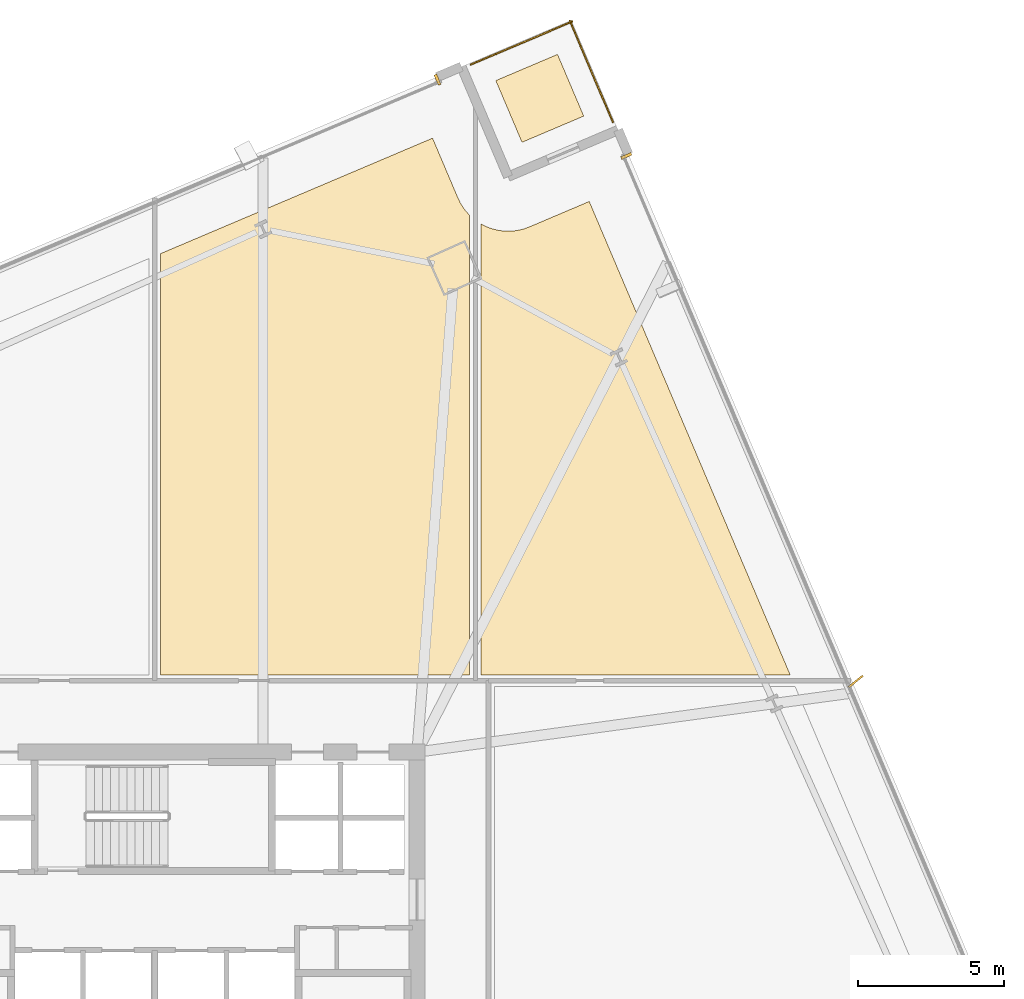
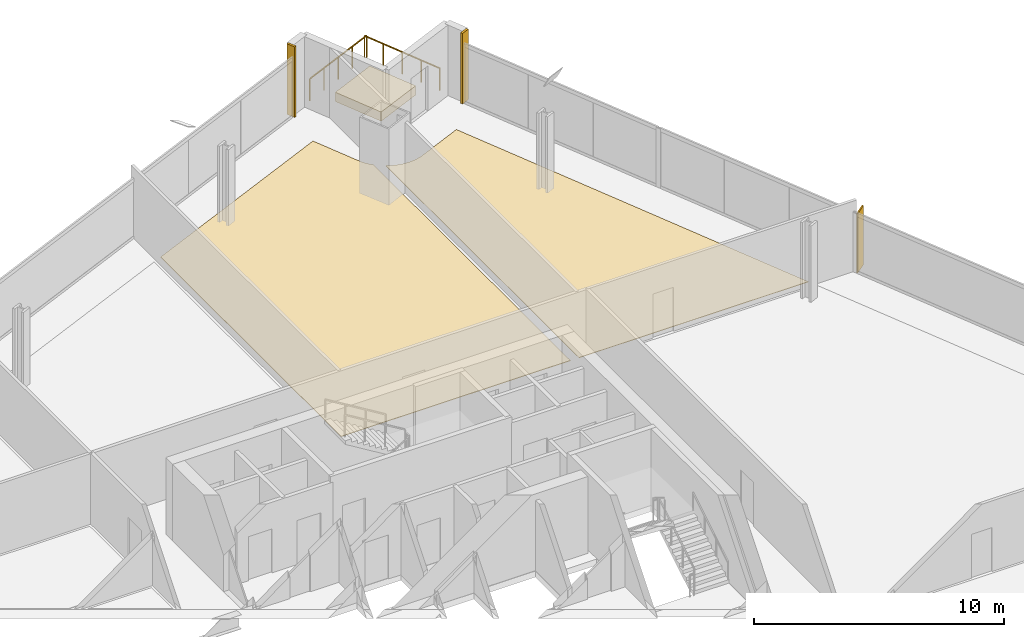
# One storey, part 34 of 34: 5 coverings, 2 railings, 1 shading device.
"""IFC4 building model written with IfcOpenShell, lengths in metres."""

from ifc_helpers import new_model, si_unit, direction, frame, origin, origin_2d, place, context, subcontext, project, spatial, polyline, rectangle, outline, extrude, source, transform, mapped, material, layer, layer_set, type_object, element, save


model = new_model("IFC4")

# Units and contexts
model_context = context("Model", 3, precision=1e-05, world=origin(), true_north=direction((0.0, 1.0)))
body_context = subcontext(model_context, "Body", "Model", "MODEL_VIEW")
ifc_project = project(units=[si_unit("LENGTHUNIT", "METRE"), si_unit("AREAUNIT", "SQUARE_METRE"), si_unit("VOLUMEUNIT", "CUBIC_METRE"), si_unit("PLANEANGLEUNIT", "RADIAN"), si_unit("MASSUNIT", "GRAM", prefix="KILO")], contexts=[model_context])

# Site, building, storey
site_placement = place(None, origin())
site = spatial("IfcSite", under=ifc_project, at=site_placement, CompositionType="ELEMENT")
building_placement = place(site_placement, origin())
building = spatial("IfcBuilding", under=site, at=building_placement, Name="Haldenkirk Collegiate Tower", CompositionType="ELEMENT")
storey_placement = place(building_placement, frame((0.0, 0.0, 105.449951171875)))
storey = spatial("IfcBuildingStorey", under=building, at=storey_placement, Name="L25", CompositionType="ELEMENT", Elevation=105.449951171875)

# Coverings
ifc_material_1 = material(Name="Polished collegiate terrazzo", Category="concrete")
ifc_layer_1 = layer(ifc_material_1, 0.02490234375)
ifc_layer_set_1 = layer_set([ifc_layer_1], Name="Polished collegiate terrazzo")
covering_type_1 = type_object("IfcCoveringType", Name="COV-FLOOR-TERRAZZO", PredefinedType="FLOORING", material=ifc_layer_set_1)
covering_1_placement = place(storey_placement, origin())
element("IfcCovering", 1, at=covering_1_placement, inside=storey, type_object=covering_type_1, Name="L25 academic room finish 06", PredefinedType="FLOORING", context=body_context, shape_type="SweptSolid", body=[
    extrude(outline(polyline([(45.53125, 55.064697265625), (46.402587890625, 53.011962890625), (46.405029296875, 53.006591796875), (46.479736328125, 52.851806640625), (46.4853515625, 52.841552734375), (46.574951171875, 52.695068359375), (46.581787109375, 52.685302734375), (46.685302734375, 52.54833984375), (46.692626953125, 52.539306640625), (46.800048828125, 52.4228515625), (46.800048828125, 36.64990234375), (36.199951171875, 36.64990234375), (36.199951171875, 51.103759765625), (45.53125, 55.064697265625)])), origin(), (0.0, 0.0, 1.0), 0.025146484375),
])
ifc_material_2 = material(Name="Engineered collegiate oak acoustic flooring", Category="wood")
ifc_layer_2 = layer(ifc_material_2, 0.02197265625)
ifc_layer_set_2 = layer_set([ifc_layer_2], Name="Engineered collegiate oak acoustic flooring")
covering_type_2 = type_object("IfcCoveringType", Name="COV-FLOOR-TIMBER", PredefinedType="FLOORING", material=ifc_layer_set_2)
covering_2_placement = place(storey_placement, origin())
element("IfcCovering", 2, at=covering_2_placement, inside=storey, type_object=covering_type_2, Name="L25 academic room finish 07", PredefinedType="FLOORING", context=body_context, shape_type="SweptSolid", body=[
    extrude(outline(polyline([(47.199951171875, 52.118896484375), (47.251708984375, 52.088623046875), (47.26220703125, 52.083251953125), (47.41796875, 52.010986328125), (47.428955078125, 52.006591796875), (47.591064453125, 51.9501953125), (47.602294921875, 51.947021484375), (47.769287109375, 51.906494140625), (47.781005859375, 51.904296875), (47.950927734375, 51.880615234375), (47.962890625, 51.879638671875), (48.134521484375, 51.872802734375), (48.14599609375, 51.872802734375), (48.3173828125, 51.8828125), (48.329345703125, 51.884033203125), (48.4990234375, 51.910888671875), (48.510498046875, 51.9130859375), (48.6767578125, 51.956298828125), (48.68798828125, 51.9599609375), (48.84912109375, 52.01904296875), (48.8544921875, 52.021240234375), (50.9072265625, 52.892578125), (57.802001953125, 36.64990234375), (47.199951171875, 36.64990234375), (47.199951171875, 52.118896484375)])), origin(), (0.0, 0.0, 1.0), 0.02197265625),
])
ifc_material_3 = material(Name="Precast concrete f'c 40 MPa", Category="concrete")
ifc_layer_3 = layer(ifc_material_3, 0.449951171875)
ifc_layer_set_3 = layer_set([ifc_layer_3], Name="Precast concrete f'c 40 MPa")
covering_type_3 = type_object("IfcCoveringType", Name="COV-PLANTER-450", PredefinedType="USERDEFINED", material=ifc_layer_set_3)
covering_3_placement = place(storey_placement, origin())
element("IfcCovering", 3, at=covering_3_placement, inside=storey, type_object=covering_type_3, Name="L25 planted garden planter bed", ObjectType="PLANTER", PredefinedType="USERDEFINED", context=body_context, shape_type="SweptSolid", body=[
    extrude(outline(polyline([(48.6005859375, 54.922607421875), (47.701904296875, 57.039794921875), (49.819091796875, 57.938720703125), (50.718017578125, 55.8212890625), (48.6005859375, 54.922607421875)])), origin(), (0.0, 0.0, 1.0), 0.449951171875),
])

# Railings
ifc_material_4 = material(Name="Anodised architectural bronze aluminium", Category="aluminium")
railing_type = type_object("IfcRailingType", Name="RLG-TERR-BALUSTRADE-1100", PredefinedType="BALUSTRADE", material=ifc_material_4)
railing_1_placement = place(storey_placement, frame((51.7177734375, 55.61572265625, 0.0)))
element("IfcRailing", 4, at=railing_1_placement, inside=storey, type_object=railing_type, Name="L25 terrace guard balustrade 2-1", PredefinedType="BALUSTRADE", context=body_context, shape_type="SweptSolid", body=[
    extrude(rectangle(XDim=0.048095703125, YDim=0.048095703125, at=origin_2d()), frame((0.0, 0.0, 1.076171875), z_axis=(-0.390752193704, 0.920495911515, 0.0), x_axis=(-0.920495911515, -0.390752193704, 0.0)), (0.0, 0.0, 1.0), 3.780029296875),
    extrude(rectangle(XDim=0.0419921875, YDim=0.0419921875, at=origin_2d()), origin(), (0.0, 0.0, 1.0), 1.052001953125),
    extrude(rectangle(XDim=0.0419921875, YDim=0.0419921875, at=origin_2d()), frame((-0.369140625, 0.869873046875, 0.0)), (0.0, 0.0, 1.0), 1.052001953125),
    extrude(rectangle(XDim=0.0419921875, YDim=0.0419921875, at=origin_2d()), frame((-0.738525390625, 1.73974609375, 0.0)), (0.0, 0.0, 1.0), 1.052001953125),
    extrude(rectangle(XDim=0.0419921875, YDim=0.0419921875, at=origin_2d()), frame((-1.10791015625, 2.609619140625, 0.0)), (0.0, 0.0, 1.0), 1.052001953125),
    extrude(rectangle(XDim=0.0419921875, YDim=0.0419921875, at=origin_2d()), frame((-1.47705078125, 3.4794921875, 0.0)), (0.0, 0.0, 1.0), 1.052001953125),
])
railing_2_placement = place(storey_placement, frame((50.3193359375, 59.0634765625, 0.0)))
element("IfcRailing", 5, at=railing_2_placement, inside=storey, type_object=railing_type, Name="L25 terrace guard balustrade 3-1", PredefinedType="BALUSTRADE", context=body_context, shape_type="SweptSolid", body=[
    extrude(rectangle(XDim=0.048095703125, YDim=0.048095703125, at=origin_2d()), frame((0.0, 0.0, 1.076171875), z_axis=(-0.920495911515, -0.390752193704, 0.0), x_axis=(0.390752193704, -0.920495911515, 0.0)), (0.0, 0.0, 1.0), 3.780029296875),
    extrude(rectangle(XDim=0.0419921875, YDim=0.0419921875, at=origin_2d()), origin(), (0.0, 0.0, 1.0), 1.052001953125),
    extrude(rectangle(XDim=0.0419921875, YDim=0.0419921875, at=origin_2d()), frame((-0.869873046875, -0.369140625, 0.0)), (0.0, 0.0, 1.0), 1.052001953125),
    extrude(rectangle(XDim=0.0419921875, YDim=0.0419921875, at=origin_2d()), frame((-1.73974609375, -0.738525390625, 0.0)), (0.0, 0.0, 1.0), 1.052001953125),
    extrude(rectangle(XDim=0.0419921875, YDim=0.0419921875, at=origin_2d()), frame((-2.609619140625, -1.10791015625, 0.0)), (0.0, 0.0, 1.0), 1.052001953125),
    extrude(rectangle(XDim=0.0419921875, YDim=0.0419921875, at=origin_2d()), frame((-3.4794921875, -1.47705078125, 0.0)), (0.0, 0.0, 1.0), 1.052001953125),
])

# Coverings
ifc_layer_4 = layer(ifc_material_4, 0.06005859375)
ifc_layer_set_4 = layer_set([ifc_layer_4], Name="Anodised architectural bronze aluminium")
covering_type_4 = type_object("IfcCoveringType", Name="COV-CLAD-BRONZE-60", PredefinedType="CLADDING", material=ifc_layer_set_4)
shared_shape_1 = source(origin(), body_context, "Body", "SweptSolid", [
    extrude(rectangle(XDim=0.10009765625, YDim=0.3798828125, at=origin_2d()), origin(), (0.0, 0.0, 1.0), 3.449951171875),
])
for number, where, z_axis, x_axis, name in (
    (6, (52.1787109375, 54.453369140625, 0.0), (0.0, 0.0, 1.0), (0.390731128489, -0.920504853452, 0.0), "L25 recessed curtain-wall bronze jamb closure EJL"),
    (7, (45.700927734375, 57.0703125, 0.0), (0.0, 0.0, 1.0), (0.920504853452, 0.390731128489, 0.0), "L25 recessed curtain-wall bronze jamb closure NJR"),
):
    element("IfcCovering", number, at=place(storey_placement, frame(where, z_axis=z_axis, x_axis=x_axis)), inside=storey, type_object=covering_type_4, Name=name, PredefinedType="CLADDING", context=body_context, shape_type="MappedRepresentation", body=[
        mapped(shared_shape_1, transform((0.0, 0.0, 0.0), x_axis=(1.0, 0.0, 0.0), y_axis=(0.0, 1.0, 0.0), z_axis=(0.0, 0.0, 1.0), scale=1.0)),
    ])

# Shading device
ifc_layer_5 = layer(ifc_material_4, 0.06494140625)
ifc_layer_set_5 = layer_set([ifc_layer_5], Name="Anodised architectural bronze aluminium")
shading_device_type = type_object("IfcShadingDeviceType", Name="SHD-FIN-BRONZE-620", PredefinedType="USERDEFINED", material=ifc_layer_set_5)
shared_shape_2 = source(origin(), body_context, "Body", "SweptSolid", [
    extrude(rectangle(XDim=0.6201171875, YDim=0.06494140625, at=origin_2d()), origin(), (0.0, 0.0, 1.0), 2.90087890625),
])
shading_device_placement = place(storey_placement, frame((60.052978515625, 36.42724609375, 0.0), z_axis=(0.0, 0.0, 1.0), x_axis=(0.777145961457, 0.62932039105, 0.0)))
element("IfcShadingDevice", 8, at=shading_device_placement, inside=storey, type_object=shading_device_type, Name="L25 folded bronze solar fin 1", ObjectType="FIN", PredefinedType="USERDEFINED", context=body_context, shape_type="MappedRepresentation", body=[
    mapped(shared_shape_2, transform((0.0, 0.0, 0.0), x_axis=(1.0, 0.0, 0.0), y_axis=(0.0, 1.0, 0.0), z_axis=(0.0, 0.0, 1.0), scale=1.0)),
])

save(model, "model.ifc")
